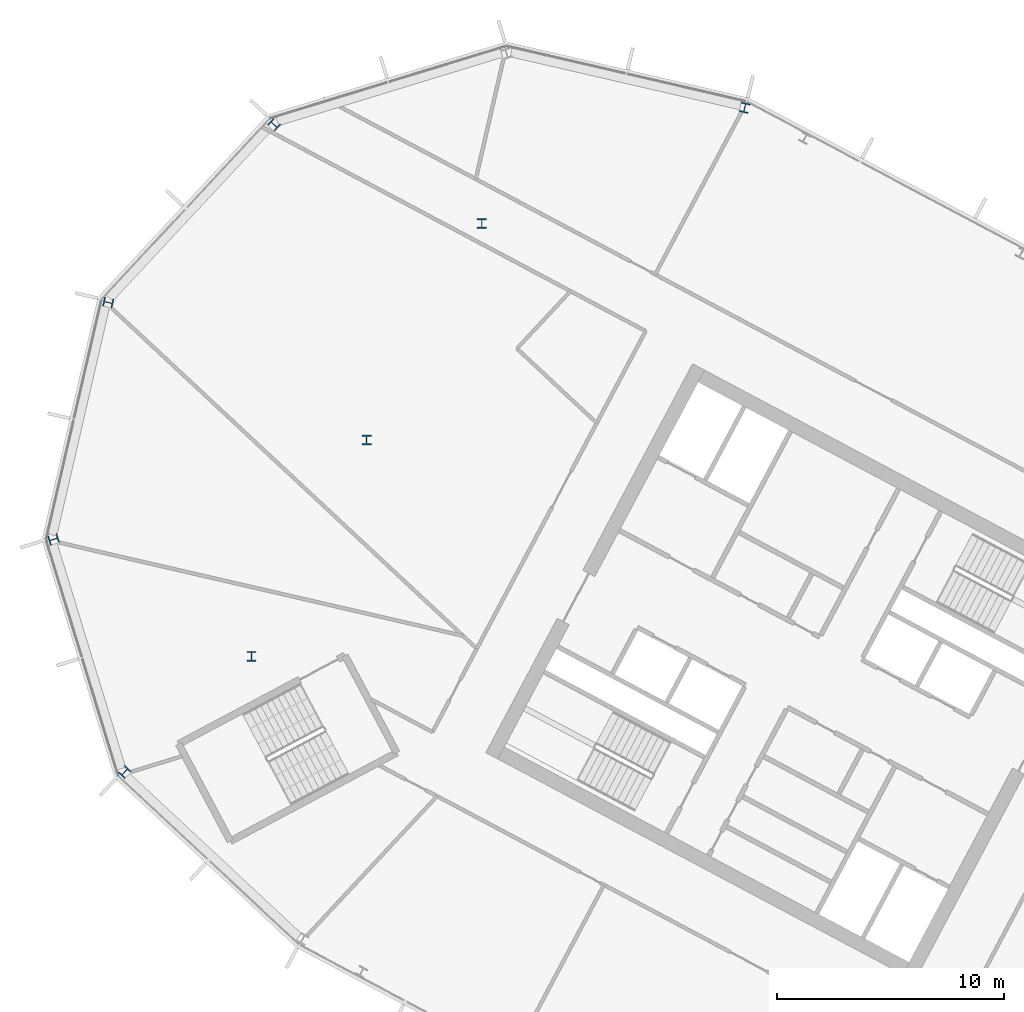
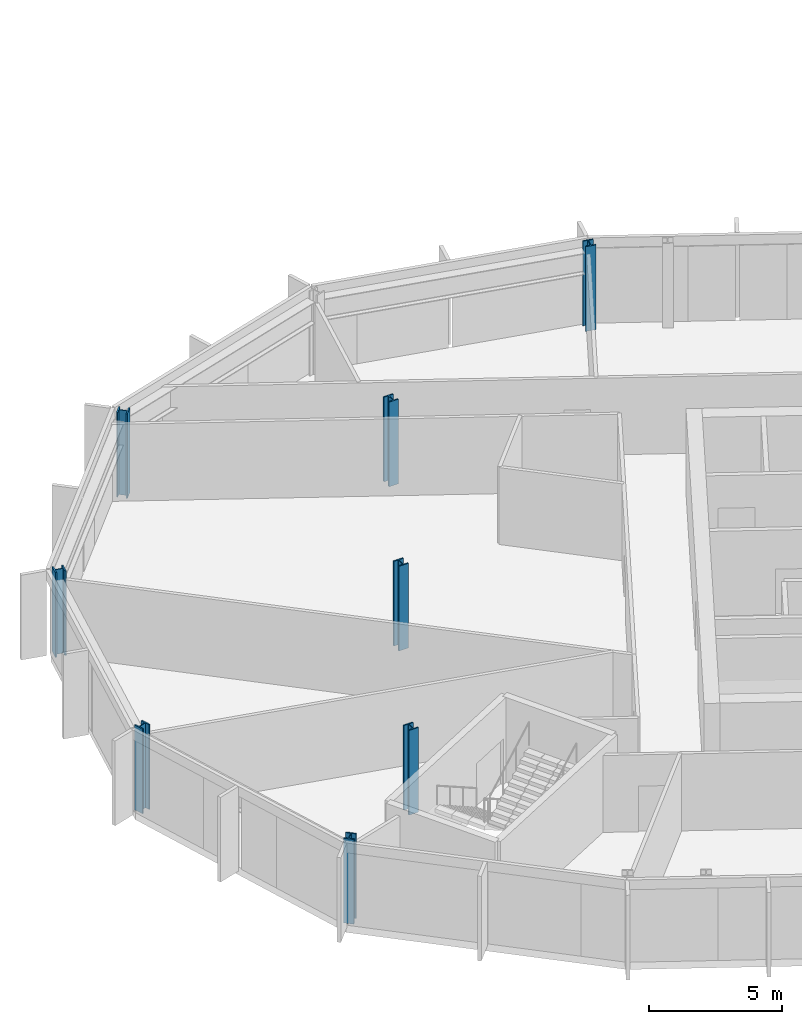
# One storey, part 3 of 27: 8 columns.
"""IFC4 building model written with IfcOpenShell, lengths in metres."""

from ifc_helpers import new_model, si_unit, direction, frame, origin, origin_2d, place, context, subcontext, project, spatial, i_section, extrude, material, material_profile, profile_set, type_object, element, save


model = new_model("IFC4")

# Units and contexts
model_context = context("Model", 3, precision=1e-05, world=origin(), true_north=direction((0.0, 1.0)))
body_context = subcontext(model_context, "Body", "Model", "MODEL_VIEW")
ifc_project = project(units=[si_unit("LENGTHUNIT", "METRE"), si_unit("AREAUNIT", "SQUARE_METRE"), si_unit("VOLUMEUNIT", "CUBIC_METRE"), si_unit("PLANEANGLEUNIT", "RADIAN"), si_unit("MASSUNIT", "GRAM", prefix="KILO")], contexts=[model_context])

# Site, building, storey
site_placement = place(None, origin())
site = spatial("IfcSite", under=ifc_project, at=site_placement, CompositionType="ELEMENT")
building_placement = place(site_placement, origin())
building = spatial("IfcBuilding", under=site, at=building_placement, Name="Cormorant Relay Tower", CompositionType="ELEMENT")
storey_placement = place(building_placement, frame((0.0, 0.0, 240.300048828125)))
storey = spatial("IfcBuildingStorey", under=building, at=storey_placement, Name="L53", CompositionType="ELEMENT", Elevation=240.300048828125)

# Columns
ifc_material = material(Name="Steel ASTM A992 (Fy 345 MPa)", Category="steel")
ifc_material_profile = material_profile(ifc_material, i_section(OverallWidth=0.41162109375, OverallDepth=0.434326171875, WebThickness=0.035888671875, FlangeThickness=0.057373046875, FilletRadius=0.01513671875, at=origin_2d()), Name="W360x463")
ifc_profile_set = profile_set([ifc_material_profile], Name="Steel ASTM A992 (Fy 345 MPa)")
column_type = type_object("IfcColumnType", Name="Column W360x463", PredefinedType="COLUMN", material=ifc_profile_set)
for number, where, z_axis, x_axis, name in (
    (1, (-57.279052734375, 10.162109375, 0.0), (0.0, 0.0, 1.0), (0.731353701619, -0.681998360062, 0.0), "Column L53-022"),
    (2, (-51.68994140625, 15.251953125, 0.0), (0.0, 0.0, 1.0), (1.0, 0.0, 0.0), "Column L53-027"),
    (3, (-60.409912109375, 20.404052734375, 0.0), (0.0, 0.0, 1.0), (0.292371704723, -0.956304755963, 0.0), "Column L53-028"),
    (4, (-46.6201171875, 24.7880859375, 0.0), (0.0, 0.0, 1.0), (1.0, 0.0, 0.0), "Column L53-031"),
    (5, (-58.0009765625, 30.840087890625, 0.0), (0.0, 0.0, 1.0), (-0.224951054344, -0.974370064785, 0.0), "Column L53-034"),
    (6, (-41.549072265625, 34.323974609375, 0.0), (0.0, 0.0, 1.0), (1.0, 0.0, 0.0), "Column L53-038"),
    (7, (-50.697021484375, 38.672119140625, 0.0), (0.0, 0.0, 1.0), (-0.681998360062, -0.731353701619, 0.0), "Column L53-042"),
    (8, (-29.968017578125, 39.4150390625, 0.0), (0.0, 0.0, 1.0), (-0.974370064785, 0.224951054344, 0.0), "Column L53-044"),
):
    element("IfcColumn", number, at=place(storey_placement, frame(where, z_axis=z_axis, x_axis=x_axis)), inside=storey, type_object=column_type, Name=name, PredefinedType="COLUMN", context=body_context, shape_type="SweptSolid", body=[
        extrude(i_section(OverallWidth=0.41162109375, OverallDepth=0.434326171875, WebThickness=0.035888671875, FlangeThickness=0.057373046875, FilletRadius=0.01513671875, at=origin_2d()), origin(), (0.0, 0.0, 1.0), 3.89990234375),
    ])

save(model, "model.ifc")
